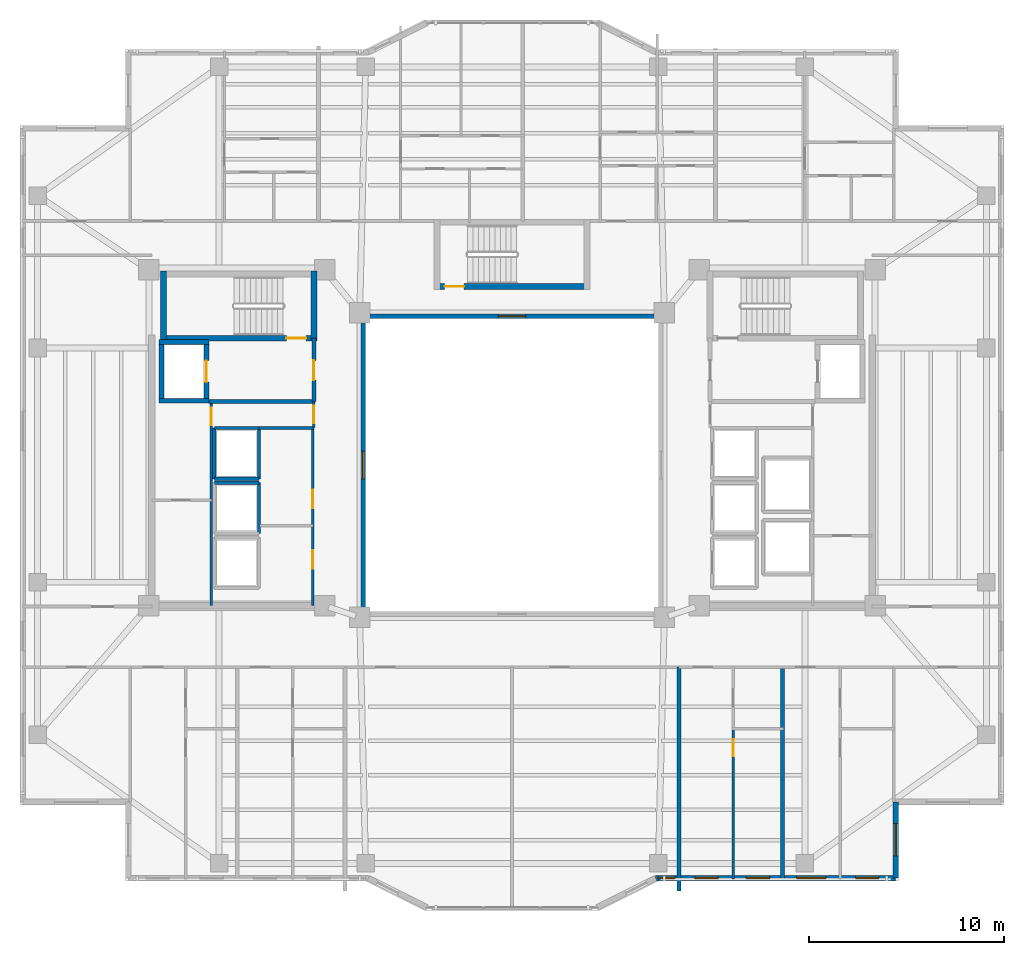
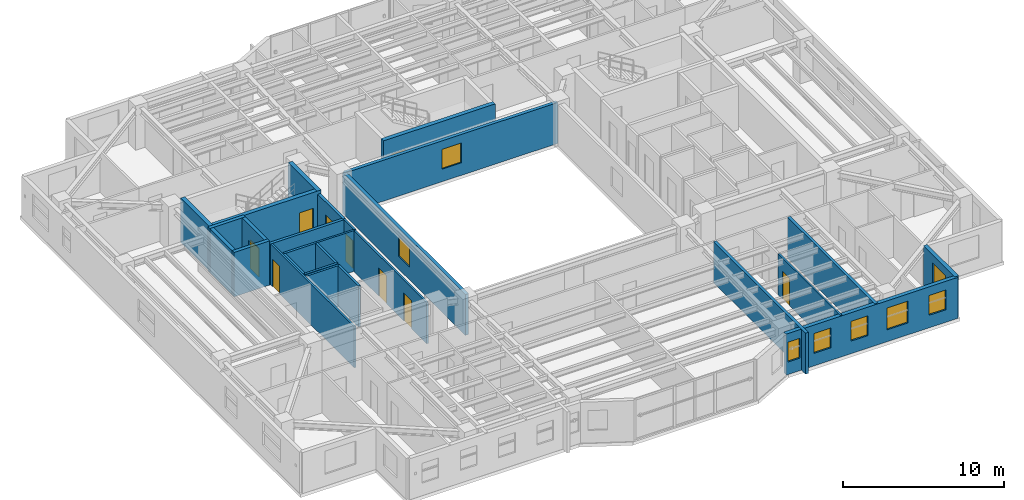
# One storey, part 7 of 16: 27 walls, 9 doors, 8 windows, 17 openings.
"""IFC4 building model written with IfcOpenShell, lengths in metres."""

from ifc_helpers import new_model, si_unit, direction, frame, frame_2d, origin, place, context, subcontext, project, spatial, rectangle, extrude, material, layer, layer_set, type_object, element, fill, save


model = new_model("IFC4")

# Units and contexts
model_context = context("Model", 3, precision=1e-05, world=origin(), true_north=direction((0.0, 1.0)))
body_context = subcontext(model_context, "Body", "Model", "MODEL_VIEW")
ifc_project = project(units=[si_unit("LENGTHUNIT", "METRE"), si_unit("AREAUNIT", "SQUARE_METRE"), si_unit("VOLUMEUNIT", "CUBIC_METRE"), si_unit("PLANEANGLEUNIT", "RADIAN"), si_unit("MASSUNIT", "GRAM", prefix="KILO")], contexts=[model_context])

# Site, building, storey
site_placement = place(None, origin())
site = spatial("IfcSite", under=ifc_project, at=site_placement, CompositionType="ELEMENT")
building_placement = place(site_placement, origin())
building = spatial("IfcBuilding", under=site, at=building_placement, Name="Tarnavaz Court Tower", CompositionType="ELEMENT")
storey_placement = place(building_placement, frame((0.0, 0.0, 156.050048828125)))
storey = spatial("IfcBuildingStorey", under=building, at=storey_placement, Name="L42", CompositionType="ELEMENT", Elevation=156.050048828125)

# Wall
ifc_material_1 = material(Name="Concrete C50/60", Category="concrete")
ifc_layer_1 = layer(ifc_material_1, 0.25)
ifc_layer_set_1 = layer_set([ifc_layer_1], Name="Concrete C50/60")
wall_type_1 = type_object("IfcWallType", Name="WL-CORE-250-C50", PredefinedType="SHEAR", material=ifc_layer_set_1)
wall_1_placement = place(storey_placement, frame((-17.949951171875, 3.175048828125, 0.0), z_axis=(0.0, 0.0, 1.0), x_axis=(0.0, 1.0, 0.0)))
element("IfcWall", 1, at=wall_1_placement, inside=storey, type_object=wall_type_1, Name="L42 Lift FL-W1 Shaft Wall 017", PredefinedType="SHEAR", context=body_context, shape_type="SweptSolid", body=[
    extrude(rectangle(XDim=3.25, YDim=0.25, at=frame_2d((1.625, 0.0))), origin(), (0.0, 0.0, 1.0), 3.349853515625),
])

# Wall, opening, door
wall_2_placement = place(storey_placement, frame((-15.64990234375, 3.175048828125, 0.0), z_axis=(0.0, 0.0, 1.0), x_axis=(0.0, 1.0, 0.0)))
wall_2 = element("IfcWall", 2, at=wall_2_placement, inside=storey, type_object=wall_type_1, Name="L42 Lift FL-W1 Shaft Wall 018", PredefinedType="SHEAR", context=body_context, shape_type="SweptSolid", body=[
    extrude(rectangle(XDim=3.25, YDim=0.25, at=frame_2d((1.625, 0.0))), origin(), (0.0, 0.0, 1.0), 3.349853515625),
])
opening_1_placement = place(wall_2_placement, frame((1.074951171875, 0.0, 0.0)))
opening_1 = element("IfcOpeningElement", 3, at=opening_1_placement, cuts=wall_2, Name="Opening LD1", PredefinedType="OPENING", context=body_context, shape_type="SweptSolid", body=[
    extrude(rectangle(XDim=1.10009765625, YDim=2.14990234375, at=frame_2d((0.550048828125, 1.074951171875))), frame((0.0, 0.135009765625, 0.0), z_axis=(0.0, -1.0, 0.0), x_axis=(1.0, 0.0, 0.0)), (0.0, 0.0, 1.0), 0.27001953125),
])
ifc_material_2 = material(Name="Stainless Steel", Category="steel")
door_type_1 = type_object("IfcDoorType", Name="DR-LD-1100", OperationType="NOTDEFINED", PredefinedType="DOOR", material=ifc_material_2)
door_1_placement = place(opening_1_placement, origin())
door_1 = element("IfcDoor", 4, at=door_1_placement, inside=storey, type_object=door_type_1, Name="L42 Lift Landing Door LD-FL-W1", OperationType="SLIDING_TO_LEFT", OverallHeight=2.14990234375, OverallWidth=1.10009765625, PredefinedType="DOOR", context=body_context, shape_type="SweptSolid", body=[
    extrude(rectangle(XDim=1.10009765625, YDim=2.14990234375, at=frame_2d((0.550048828125, 1.074951171875))), frame((0.0, 0.02490234375, 0.0), z_axis=(0.0, -1.0, 0.0), x_axis=(1.0, 0.0, 0.0)), (0.0, 0.0, 1.0), 0.050048828125),
])
fill(opening_1, door_1)

# Walls
for number, where, z_axis, x_axis, name in (
    (5, (-18.074951171875, 3.300048828125, 0.0), (0.0, 0.0, 1.0), (1.0, 0.0, 0.0), "L42 Lift FL-W1 Shaft Wall 019"),
    (6, (-18.074951171875, 6.300048828125, 0.0), (0.0, 0.0, 1.0), (1.0, 0.0, 0.0), "L42 Lift FL-W1 Shaft Wall 020"),
):
    element("IfcWall", number, at=place(storey_placement, frame(where, z_axis=z_axis, x_axis=x_axis)), inside=storey, type_object=wall_type_1, Name=name, PredefinedType="SHEAR", context=body_context, shape_type="SweptSolid", body=[
        extrude(rectangle(XDim=2.550048828125, YDim=0.25, at=frame_2d((1.27490234375, 0.0))), origin(), (0.0, 0.0, 1.0), 3.349853515625),
    ])

# Wall, opening, door
ifc_layer_2 = layer(ifc_material_1, 0.300048828125)
ifc_layer_set_2 = layer_set([ifc_layer_2], Name="Concrete C50/60")
wall_type_2 = type_object("IfcWallType", Name="WL-CORE-300-C50", PredefinedType="SHEAR", material=ifc_layer_set_2)
wall_3_placement = place(storey_placement, frame((-18.0, 6.5, 0.0), z_axis=(0.0, 0.0, 1.0), x_axis=(1.0, 0.0, 0.0)))
wall_3 = element("IfcWall", 7, at=wall_3_placement, inside=storey, type_object=wall_type_2, Name="L42 West Stair Core Wall 002", PredefinedType="SHEAR", context=body_context, shape_type="SweptSolid", body=[
    extrude(rectangle(XDim=8.0, YDim=0.300048828125, at=frame_2d((4.0, 0.0))), origin(), (0.0, 0.0, 1.0), 3.349853515625),
])
opening_2_placement = place(wall_3_placement, frame((6.449951171875, 0.0, 0.0)))
opening_2 = element("IfcOpeningElement", 8, at=opening_2_placement, cuts=wall_3, Name="Opening D01", PredefinedType="OPENING", context=body_context, shape_type="SweptSolid", body=[
    extrude(rectangle(XDim=1.0, YDim=2.14990234375, at=frame_2d((0.5, 1.074951171875))), frame((0.0, 0.159912109375, 0.0), z_axis=(0.0, -1.0, 0.0), x_axis=(1.0, 0.0, 0.0)), (0.0, 0.0, 1.0), 0.320068359375),
])
ifc_material_3 = material(Name="Fire-Rated Hardwood Timber Core", Category="wood")
door_type_2 = type_object("IfcDoorType", Name="DR-FD90-1000", OperationType="NOTDEFINED", PredefinedType="DOOR", material=ifc_material_3)
door_2_placement = place(opening_2_placement, origin())
door_2 = element("IfcDoor", 9, at=door_2_placement, inside=storey, type_object=door_type_2, Name="L42 Stair ST-W1 Exit Door", OperationType="SINGLE_SWING_LEFT", OverallHeight=2.14990234375, OverallWidth=1.0, PredefinedType="DOOR", context=body_context, shape_type="SweptSolid", body=[
    extrude(rectangle(XDim=1.0, YDim=2.14990234375, at=frame_2d((0.5, 1.074951171875))), frame((0.0, 0.02490234375, 0.0), z_axis=(0.0, -1.0, 0.0), x_axis=(1.0, 0.0, 0.0)), (0.0, 0.0, 1.0), 0.050048828125),
])
fill(opening_2, door_2)

# Walls
for number, where, z_axis, x_axis, name in (
    (10, (-17.85009765625, 6.35009765625, 0.0), (0.0, 0.0, 1.0), (0.0, 1.0, 0.0), "L42 West Stair Core Wall 003"),
    (11, (-10.14990234375, 6.35009765625, 0.0), (0.0, 0.0, 1.0), (0.0, 1.0, 0.0), "L42 West Stair Core Wall 004"),
):
    element("IfcWall", number, at=place(storey_placement, frame(where, z_axis=z_axis, x_axis=x_axis)), inside=storey, type_object=wall_type_2, Name=name, PredefinedType="SHEAR", context=body_context, shape_type="SweptSolid", body=[
        extrude(rectangle(XDim=3.58984375, YDim=0.300048828125, at=frame_2d((1.794921875, 0.0))), origin(), (0.0, 0.0, 1.0), 3.349853515625),
    ])

# Wall, opening, door
wall_4_placement = place(storey_placement, frame((-4.0, 9.14990234375, 0.0), z_axis=(0.0, 0.0, 1.0), x_axis=(1.0, 0.0, 0.0)))
wall_4 = element("IfcWall", 12, at=wall_4_placement, inside=storey, type_object=wall_type_2, Name="L42 North Stair Core Wall 010", PredefinedType="SHEAR", context=body_context, shape_type="SweptSolid", body=[
    extrude(rectangle(XDim=8.0, YDim=0.300048828125, at=frame_2d((4.0, 0.0))), origin(), (0.0, 0.0, 1.0), 3.349853515625),
])
opening_3_placement = place(wall_4_placement, frame((0.550048828125, 0.0, 0.0)))
opening_3 = element("IfcOpeningElement", 13, at=opening_3_placement, cuts=wall_4, Name="Opening D01", PredefinedType="OPENING", context=body_context, shape_type="SweptSolid", body=[
    extrude(rectangle(XDim=1.0, YDim=2.14990234375, at=frame_2d((0.5, 1.074951171875))), frame((0.0, 0.159912109375, 0.0), z_axis=(0.0, -1.0, 0.0), x_axis=(1.0, 0.0, 0.0)), (0.0, 0.0, 1.0), 0.320068359375),
])
door_3_placement = place(opening_3_placement, origin())
door_3 = element("IfcDoor", 14, at=door_3_placement, inside=storey, type_object=door_type_2, Name="L42 Stair ST-N1 Exit Door", OperationType="SINGLE_SWING_LEFT", OverallHeight=2.14990234375, OverallWidth=1.0, PredefinedType="DOOR", context=body_context, shape_type="SweptSolid", body=[
    extrude(rectangle(XDim=1.0, YDim=2.14990234375, at=frame_2d((0.5, 1.074951171875))), frame((0.0, 0.02490234375, 0.0), z_axis=(0.0, -1.0, 0.0), x_axis=(1.0, 0.0, 0.0)), (0.0, 0.0, 1.0), 0.050048828125),
])
fill(opening_3, door_3)

# Wall, opening, window
ifc_material_4 = material(Name="Precast Concrete C40/50", Category="concrete")
ifc_layer_3 = layer(ifc_material_4, 0.280029296875)
ifc_layer_set_3 = layer_set([ifc_layer_3], Name="Precast Concrete C40/50")
wall_type_3 = type_object("IfcWallType", Name="WL-EXT-280", PredefinedType="SOLIDWALL", material=ifc_layer_set_3)
wall_5_placement = place(storey_placement, frame((19.64990234375, -17.25, 0.0), z_axis=(0.0, 0.0, 1.0), x_axis=(0.0, -1.0, 0.0)))
wall_5 = element("IfcWall", 15, at=wall_5_placement, inside=storey, type_object=wall_type_3, Name="L42 Exterior Terracotta Facade Wall 14", PredefinedType="SOLIDWALL", context=body_context, shape_type="SweptSolid", body=[
    extrude(rectangle(XDim=3.89990234375, YDim=0.280029296875, at=frame_2d((1.949951171875, 0.0))), origin(), (0.0, 0.0, 1.0), 3.099853515625),
])
opening_4_placement = place(wall_5_placement, frame((1.107177734375, 0.0, 0.89990234375)))
opening_4 = element("IfcOpeningElement", 16, at=opening_4_placement, cuts=wall_5, Name="Opening W02", PredefinedType="OPENING", context=body_context, shape_type="SweptSolid", body=[
    extrude(rectangle(XDim=1.64990234375, YDim=1.60009765625, at=frame_2d((0.824951171875, 0.800048828125))), frame((0.0, 0.14990234375, 0.0), z_axis=(0.0, -1.0, 0.0), x_axis=(1.0, 0.0, 0.0)), (0.0, 0.0, 1.0), 0.300048828125),
])
ifc_material_5 = material(Name="Double-Glazed Solar Low-E Glass", Category="glass")
window_type_1 = type_object("IfcWindowType", Name="WN-APT-1650", PartitioningType="DOUBLE_PANEL_VERTICAL", PredefinedType="WINDOW", material=ifc_material_5)
window_1_placement = place(opening_4_placement, origin())
window_1 = element("IfcWindow", 17, at=window_1_placement, inside=storey, type_object=window_type_1, Name="L42 Flat 08 Kitchen Window", OverallHeight=1.60009765625, OverallWidth=1.64990234375, PartitioningType="SINGLE_PANEL", PredefinedType="WINDOW", context=body_context, shape_type="SweptSolid", body=[
    extrude(rectangle(XDim=1.64990234375, YDim=1.60009765625, at=frame_2d((0.824951171875, 0.800048828125))), frame((0.0, 0.030029296875, 0.0), z_axis=(0.0, -1.0, 0.0), x_axis=(1.0, 0.0, 0.0)), (0.0, 0.0, 1.0), 0.06005859375),
])
fill(opening_4, window_1)

# Wall, openings, windows
wall_6_placement = place(storey_placement, frame((19.64990234375, -21.14990234375, 0.0), z_axis=(0.0, 0.0, 1.0), x_axis=(-1.0, 0.0, 0.0)))
wall_6 = element("IfcWall", 18, at=wall_6_placement, inside=storey, type_object=wall_type_3, Name="L42 Exterior Terracotta Facade Wall 15", PredefinedType="SOLIDWALL", context=body_context, shape_type="SweptSolid", body=[
    extrude(rectangle(XDim=12.2998046875, YDim=0.280029296875, at=frame_2d((6.14990234375, 0.0))), origin(), (0.0, 0.0, 1.0), 3.099853515625),
])
opening_5_placement = place(wall_6_placement, frame((0.85595703125, 0.0, 0.949951171875)))
opening_5 = element("IfcOpeningElement", 19, at=opening_5_placement, cuts=wall_6, Name="Opening W05", PredefinedType="OPENING", context=body_context, shape_type="SweptSolid", body=[
    extrude(rectangle(XDim=1.199951171875, YDim=1.5, at=frame_2d((0.60009765625, 0.75))), frame((0.0, 0.14990234375, 0.0), z_axis=(0.0, -1.0, 0.0), x_axis=(1.0, 0.0, 0.0)), (0.0, 0.0, 1.0), 0.300048828125),
])
opening_6_placement = place(wall_6_placement, frame((3.567626953125, 0.0, 0.89990234375)))
opening_6 = element("IfcOpeningElement", 20, at=opening_6_placement, cuts=wall_6, Name="Opening W03", PredefinedType="OPENING", context=body_context, shape_type="SweptSolid", body=[
    extrude(rectangle(XDim=1.5, YDim=1.64990234375, at=frame_2d((0.75, 0.824951171875))), frame((0.0, 0.14990234375, 0.0), z_axis=(0.0, -1.0, 0.0), x_axis=(1.0, 0.0, 0.0)), (0.0, 0.0, 1.0), 0.300048828125),
])
opening_7_placement = place(wall_6_placement, frame((6.45361328125, 0.0, 0.949951171875)))
opening_7 = element("IfcOpeningElement", 21, at=opening_7_placement, cuts=wall_6, Name="Opening W05", PredefinedType="OPENING", context=body_context, shape_type="SweptSolid", body=[
    extrude(rectangle(XDim=1.199951171875, YDim=1.5, at=frame_2d((0.60009765625, 0.75))), frame((0.0, 0.14990234375, 0.0), z_axis=(0.0, -1.0, 0.0), x_axis=(1.0, 0.0, 0.0)), (0.0, 0.0, 1.0), 0.300048828125),
])
opening_8_placement = place(wall_6_placement, frame((9.08935546875, 0.0, 0.949951171875)))
opening_8 = element("IfcOpeningElement", 22, at=opening_8_placement, cuts=wall_6, Name="Opening W05", PredefinedType="OPENING", context=body_context, shape_type="SweptSolid", body=[
    extrude(rectangle(XDim=1.199951171875, YDim=1.5, at=frame_2d((0.60009765625, 0.75))), frame((0.0, 0.14990234375, 0.0), z_axis=(0.0, -1.0, 0.0), x_axis=(1.0, 0.0, 0.0)), (0.0, 0.0, 1.0), 0.300048828125),
])
opening_9_placement = place(wall_6_placement, frame((11.302978515625, 0.0, 0.949951171875)))
opening_9 = element("IfcOpeningElement", 23, at=opening_9_placement, cuts=wall_6, Name="Opening W15", PredefinedType="OPENING", context=body_context, shape_type="SweptSolid", body=[
    extrude(rectangle(XDim=0.85009765625, YDim=1.5, at=frame_2d((0.425048828125, 0.75))), frame((0.0, 0.14990234375, 0.0), z_axis=(0.0, -1.0, 0.0), x_axis=(1.0, 0.0, 0.0)), (0.0, 0.0, 1.0), 0.300048828125),
])
window_type_2 = type_object("IfcWindowType", Name="WN-APT-1200", PartitioningType="SINGLE_PANEL", PredefinedType="WINDOW", material=ifc_material_5)
window_2_placement = place(opening_5_placement, origin())
window_2 = element("IfcWindow", 24, at=window_2_placement, inside=storey, type_object=window_type_2, Name="L42 Flat 08 Kitchen Window", OverallHeight=1.5, OverallWidth=1.199951171875, PartitioningType="SINGLE_PANEL", PredefinedType="WINDOW", context=body_context, shape_type="SweptSolid", body=[
    extrude(rectangle(XDim=1.199951171875, YDim=1.5, at=frame_2d((0.60009765625, 0.75))), frame((0.0, 0.030029296875, 0.0), z_axis=(0.0, -1.0, 0.0), x_axis=(1.0, 0.0, 0.0)), (0.0, 0.0, 1.0), 0.06005859375),
])
fill(opening_5, window_2)
window_3_placement = place(opening_7_placement, origin())
window_3 = element("IfcWindow", 25, at=window_3_placement, inside=storey, type_object=window_type_2, Name="L42 Flat 07 Kitchen Window", OverallHeight=1.5, OverallWidth=1.199951171875, PartitioningType="SINGLE_PANEL", PredefinedType="WINDOW", context=body_context, shape_type="SweptSolid", body=[
    extrude(rectangle(XDim=1.199951171875, YDim=1.5, at=frame_2d((0.60009765625, 0.75))), frame((0.0, 0.030029296875, 0.0), z_axis=(0.0, -1.0, 0.0), x_axis=(1.0, 0.0, 0.0)), (0.0, 0.0, 1.0), 0.06005859375),
])
fill(opening_7, window_3)
window_4_placement = place(opening_8_placement, origin())
window_4 = element("IfcWindow", 26, at=window_4_placement, inside=storey, type_object=window_type_2, Name="L42 Flat 07 Studio Living and Sleeping Room Window", OverallHeight=1.5, OverallWidth=1.199951171875, PartitioningType="SINGLE_PANEL", PredefinedType="WINDOW", context=body_context, shape_type="SweptSolid", body=[
    extrude(rectangle(XDim=1.199951171875, YDim=1.5, at=frame_2d((0.60009765625, 0.75))), frame((0.0, 0.030029296875, 0.0), z_axis=(0.0, -1.0, 0.0), x_axis=(1.0, 0.0, 0.0)), (0.0, 0.0, 1.0), 0.06005859375),
])
fill(opening_8, window_4)
window_type_3 = type_object("IfcWindowType", Name="WN-APT-1500", PartitioningType="DOUBLE_PANEL_VERTICAL", PredefinedType="WINDOW", material=ifc_material_5)
window_5_placement = place(opening_6_placement, origin())
window_5 = element("IfcWindow", 27, at=window_5_placement, inside=storey, type_object=window_type_3, Name="L42 Flat 08 Studio Living and Sleeping Room Window", OverallHeight=1.64990234375, OverallWidth=1.5, PartitioningType="SINGLE_PANEL", PredefinedType="WINDOW", context=body_context, shape_type="SweptSolid", body=[
    extrude(rectangle(XDim=1.5, YDim=1.64990234375, at=frame_2d((0.75, 0.824951171875))), frame((0.0, 0.030029296875, 0.0), z_axis=(0.0, -1.0, 0.0), x_axis=(1.0, 0.0, 0.0)), (0.0, 0.0, 1.0), 0.06005859375),
])
fill(opening_6, window_5)
window_type_4 = type_object("IfcWindowType", Name="WN-APT-850", PartitioningType="SINGLE_PANEL", PredefinedType="WINDOW", material=ifc_material_5)
window_6_placement = place(opening_9_placement, origin())
window_6 = element("IfcWindow", 28, at=window_6_placement, inside=storey, type_object=window_type_4, Name="L42 South Courtyard Reading Room Window", OverallHeight=1.5, OverallWidth=0.85009765625, PartitioningType="SINGLE_PANEL", PredefinedType="WINDOW", context=body_context, shape_type="SweptSolid", body=[
    extrude(rectangle(XDim=0.85009765625, YDim=1.5, at=frame_2d((0.425048828125, 0.75))), frame((0.0, 0.030029296875, 0.0), z_axis=(0.0, -1.0, 0.0), x_axis=(1.0, 0.0, 0.0)), (0.0, 0.0, 1.0), 0.06005859375),
])
fill(opening_9, window_6)

# Wall
ifc_material_6 = material(Name="Autoclaved Aerated Concrete Blockwork", Category="masonry")
ifc_layer_4 = layer(ifc_material_6, 0.199951171875)
ifc_layer_set_4 = layer_set([ifc_layer_4], Name="Autoclaved Aerated Concrete Blockwork")
wall_type_4 = type_object("IfcWallType", Name="WL-FIRE-200", PredefinedType="SOLIDWALL", material=ifc_layer_set_4)
wall_7_placement = place(storey_placement, frame((-15.550048828125, 3.25, 0.0), z_axis=(0.0, 0.0, 1.0), x_axis=(1.0, 0.0, 0.0)))
element("IfcWall", 29, at=wall_7_placement, inside=storey, type_object=wall_type_4, Name="L42 West Firefighting Lobby Wall 013", PredefinedType="SOLIDWALL", context=body_context, shape_type="SweptSolid", body=[
    extrude(rectangle(XDim=5.400146484375, YDim=0.199951171875, at=frame_2d((2.7001953125, 0.0))), origin(), (0.0, 0.0, 1.0), 3.099853515625),
])

# Wall, opening, door
wall_8_placement = place(storey_placement, frame((-10.14990234375, 3.25, 0.0), z_axis=(0.0, 0.0, 1.0), x_axis=(0.0, 1.0, 0.0)))
wall_8 = element("IfcWall", 30, at=wall_8_placement, inside=storey, type_object=wall_type_4, Name="L42 West Firefighting Lobby Wall 014", PredefinedType="SOLIDWALL", context=body_context, shape_type="SweptSolid", body=[
    extrude(rectangle(XDim=3.25, YDim=0.199951171875, at=frame_2d((1.625, 0.0))), origin(), (0.0, 0.0, 1.0), 3.099853515625),
])
opening_10_placement = place(wall_8_placement, frame((1.10009765625, 0.0, 0.0)))
opening_10 = element("IfcOpeningElement", 31, at=opening_10_placement, cuts=wall_8, Name="Opening D05", PredefinedType="OPENING", context=body_context, shape_type="SweptSolid", body=[
    extrude(rectangle(XDim=1.02001953125, YDim=2.14990234375, at=frame_2d((0.510009765625, 1.074951171875))), frame((0.0, 0.10986328125, 0.0), z_axis=(0.0, -1.0, 0.0), x_axis=(1.0, 0.0, 0.0)), (0.0, 0.0, 1.0), 0.219970703125),
])
door_type_3 = type_object("IfcDoorType", Name="DR-FD60-1000", OperationType="NOTDEFINED", PredefinedType="DOOR", material=ifc_material_3)
door_4_placement = place(opening_10_placement, origin())
door_4 = element("IfcDoor", 32, at=door_4_placement, inside=storey, type_object=door_type_3, Name="L42 West Firefighting Lobby Door", OperationType="SINGLE_SWING_RIGHT", OverallHeight=2.14990234375, OverallWidth=1.02001953125, PredefinedType="DOOR", context=body_context, shape_type="SweptSolid", body=[
    extrude(rectangle(XDim=1.02001953125, YDim=2.14990234375, at=frame_2d((0.510009765625, 1.074951171875))), frame((0.0, 0.02490234375, 0.0), z_axis=(0.0, -1.0, 0.0), x_axis=(1.0, 0.0, 0.0)), (0.0, 0.0, 1.0), 0.050048828125),
])
fill(opening_10, door_4)

# Walls
wall_9_placement = place(storey_placement, frame((13.85595703125, -21.199951171875, 0.0), z_axis=(0.0, 0.0, 1.0), x_axis=(0.0, 1.0, 0.0)))
element("IfcWall", 33, at=wall_9_placement, inside=storey, type_object=wall_type_4, Name="L42 Party Wall 107", PredefinedType="SOLIDWALL", context=body_context, shape_type="SweptSolid", body=[
    extrude(rectangle(XDim=10.849853515625, YDim=0.199951171875, at=frame_2d((5.4248046875, 0.0))), origin(), (0.0, 0.0, 1.0), 3.099853515625),
])
wall_10_placement = place(storey_placement, frame((8.550048828125, -21.803955078125, 0.0), z_axis=(0.0, 0.0, 1.0), x_axis=(0.0, 1.0, 0.0)))
element("IfcWall", 34, at=wall_10_placement, inside=storey, type_object=wall_type_4, Name="L42 Party Wall 115", PredefinedType="SOLIDWALL", context=body_context, shape_type="SweptSolid", body=[
    extrude(rectangle(XDim=11.453857421875, YDim=0.199951171875, at=frame_2d((5.72705078125, 0.0))), origin(), (0.0, 0.0, 1.0), 3.099853515625),
])

# Wall, opening, door
ifc_material_7 = material(Name="Moisture-Resistant Gypsum Board Partition", Category="masonry")
ifc_layer_5 = layer(ifc_material_7, 0.1201171875)
ifc_layer_set_5 = layer_set([ifc_layer_5], Name="Moisture-Resistant Gypsum Board Partition")
wall_type_5 = type_object("IfcWallType", Name="WL-PART-120", PredefinedType="PARTITIONING", material=ifc_layer_set_5)
wall_11_placement = place(storey_placement, frame((11.3310546875, -21.199951171875, 0.0), z_axis=(0.0, 0.0, 1.0), x_axis=(0.0, 1.0, 0.0)))
wall_11 = element("IfcWall", 35, at=wall_11_placement, inside=storey, type_object=wall_type_5, Name="L42 Interior Partition 108", PredefinedType="PARTITIONING", context=body_context, shape_type="SweptSolid", body=[
    extrude(rectangle(XDim=7.68994140625, YDim=0.1201171875, at=frame_2d((3.844970703125, 0.0))), origin(), (0.0, 0.0, 1.0), 3.099853515625),
])
opening_11_placement = place(wall_11_placement, frame((6.2900390625, 0.0, 0.0)))
opening_11 = element("IfcOpeningElement", 36, at=opening_11_placement, cuts=wall_11, Name="Opening D14", PredefinedType="OPENING", context=body_context, shape_type="SweptSolid", body=[
    extrude(rectangle(XDim=0.8798828125, YDim=2.10009765625, at=frame_2d((0.43994140625, 1.050048828125))), frame((0.0, 0.070068359375, 0.0), z_axis=(0.0, -1.0, 0.0), x_axis=(1.0, 0.0, 0.0)), (0.0, 0.0, 1.0), 0.14013671875),
])
ifc_material_8 = material(Name="Engineered Oak Timber", Category="wood")
door_type_4 = type_object("IfcDoorType", Name="DR-INT-900", OperationType="NOTDEFINED", PredefinedType="DOOR", material=ifc_material_8)
door_5_placement = place(opening_11_placement, origin())
door_5 = element("IfcDoor", 37, at=door_5_placement, inside=storey, type_object=door_type_4, Name="L42 Flat 07 Kitchen Door", OperationType="SINGLE_SWING_RIGHT", OverallHeight=2.10009765625, OverallWidth=0.8798828125, PredefinedType="DOOR", context=body_context, shape_type="SweptSolid", body=[
    extrude(rectangle(XDim=0.8798828125, YDim=2.10009765625, at=frame_2d((0.43994140625, 1.050048828125))), frame((0.0, 0.02490234375, 0.0), z_axis=(0.0, -1.0, 0.0), x_axis=(1.0, 0.0, 0.0)), (0.0, 0.0, 1.0), 0.050048828125),
])
fill(opening_11, door_5)

# Wall
ifc_material_9 = material(Name="Gypsum Plasterboard Acoustic Partition", Category="masonry")
ifc_layer_6 = layer(ifc_material_9, 0.139892578125)
ifc_layer_set_6 = layer_set([ifc_layer_6], Name="Gypsum Plasterboard Acoustic Partition")
wall_type_6 = type_object("IfcWallType", Name="WL-PART-150", PredefinedType="PARTITIONING", material=ifc_layer_set_6)
wall_12_placement = place(storey_placement, frame((-12.949951171875, 1.89990234375, 0.0), z_axis=(0.0, 0.0, 1.0), x_axis=(1.0, 0.0, 0.0)))
element("IfcWall", 38, at=wall_12_placement, inside=storey, type_object=wall_type_6, Name="L42 Interior Partition 061", PredefinedType="PARTITIONING", context=body_context, shape_type="SweptSolid", body=[
    extrude(rectangle(XDim=2.800048828125, YDim=0.139892578125, at=frame_2d((1.39990234375, 0.0))), origin(), (0.0, 0.0, 1.0), 3.099853515625),
])

# Wall, opening, door
wall_13_placement = place(storey_placement, frame((-10.14990234375, 1.919921875, 0.0), z_axis=(0.0, 0.0, 1.0), x_axis=(0.0, 1.0, 0.0)))
wall_13 = element("IfcWall", 39, at=wall_13_placement, inside=storey, type_object=wall_type_6, Name="L42 Interior Partition 062", PredefinedType="PARTITIONING", context=body_context, shape_type="SweptSolid", body=[
    extrude(rectangle(XDim=1.330078125, YDim=0.139892578125, at=frame_2d((0.6650390625, 0.0))), origin(), (0.0, 0.0, 1.0), 3.099853515625),
])
opening_12_placement = place(wall_13_placement, frame((0.219970703125, 0.0, 0.0)))
opening_12 = element("IfcOpeningElement", 40, at=opening_12_placement, cuts=wall_13, Name="Opening D09", PredefinedType="OPENING", context=body_context, shape_type="SweptSolid", body=[
    extrude(rectangle(XDim=0.89990234375, YDim=2.080078125, at=frame_2d((0.449951171875, 1.0400390625))), frame((0.0, 0.079833984375, 0.0), z_axis=(0.0, -1.0, 0.0), x_axis=(1.0, 0.0, 0.0)), (0.0, 0.0, 1.0), 0.159912109375),
])
door_type_5 = type_object("IfcDoorType", Name="DR-FD30-900", OperationType="NOTDEFINED", PredefinedType="DOOR", material=ifc_material_3)
door_6_placement = place(opening_12_placement, origin())
door_6 = element("IfcDoor", 41, at=door_6_placement, inside=storey, type_object=door_type_5, Name="L42 West Core Service Lobby Door", OperationType="SINGLE_SWING_LEFT", OverallHeight=2.080078125, OverallWidth=0.89990234375, PredefinedType="DOOR", context=body_context, shape_type="SweptSolid", body=[
    extrude(rectangle(XDim=0.89990234375, YDim=2.080078125, at=frame_2d((0.449951171875, 1.0400390625))), frame((0.0, 0.02490234375, 0.0), z_axis=(0.0, -1.0, 0.0), x_axis=(1.0, 0.0, 0.0)), (0.0, 0.0, 1.0), 0.050048828125),
])
fill(opening_12, door_6)

wall_14_placement = place(storey_placement, frame((-15.39990234375, -7.199951171875, 0.0), z_axis=(0.0, 0.0, 1.0), x_axis=(0.0, 1.0, 0.0)))
wall_14 = element("IfcWall", 42, at=wall_14_placement, inside=storey, type_object=wall_type_6, Name="L42 Interior Partition 063", PredefinedType="PARTITIONING", context=body_context, shape_type="SweptSolid", body=[
    extrude(rectangle(XDim=10.449951171875, YDim=0.139892578125, at=frame_2d((5.22509765625, 0.0))), origin(), (0.0, 0.0, 1.0), 3.099853515625),
])
opening_13_placement = place(wall_14_placement, frame((9.25, 0.0, 0.0)))
opening_13 = element("IfcOpeningElement", 43, at=opening_13_placement, cuts=wall_14, Name="Opening D09", PredefinedType="OPENING", context=body_context, shape_type="SweptSolid", body=[
    extrude(rectangle(XDim=0.89990234375, YDim=2.080078125, at=frame_2d((0.449951171875, 1.0400390625))), frame((0.0, 0.079833984375, 0.0), z_axis=(0.0, -1.0, 0.0), x_axis=(1.0, 0.0, 0.0)), (0.0, 0.0, 1.0), 0.159912109375),
])
door_7_placement = place(opening_13_placement, origin())
door_7 = element("IfcDoor", 44, at=door_7_placement, inside=storey, type_object=door_type_5, Name="L42 West Telecom Room Door", OperationType="SINGLE_SWING_RIGHT", OverallHeight=2.080078125, OverallWidth=0.89990234375, PredefinedType="DOOR", context=body_context, shape_type="SweptSolid", body=[
    extrude(rectangle(XDim=0.89990234375, YDim=2.080078125, at=frame_2d((0.449951171875, 1.0400390625))), frame((0.0, 0.02490234375, 0.0), z_axis=(0.0, -1.0, 0.0), x_axis=(1.0, 0.0, 0.0)), (0.0, 0.0, 1.0), 0.050048828125),
])
fill(opening_13, door_7)

# Wall, openings, doors
wall_15_placement = place(storey_placement, frame((-10.199951171875, -7.199951171875, 0.0), z_axis=(0.0, 0.0, 1.0), x_axis=(0.0, 1.0, 0.0)))
wall_15 = element("IfcWall", 45, at=wall_15_placement, inside=storey, type_object=wall_type_6, Name="L42 West Reclaimed Core Wall 065", PredefinedType="PARTITIONING", context=body_context, shape_type="SweptSolid", body=[
    extrude(rectangle(XDim=9.119873046875, YDim=0.139892578125, at=frame_2d((4.56005859375, 0.0))), origin(), (0.0, 0.0, 1.0), 3.099853515625),
])
opening_14_placement = place(wall_15_placement, frame((1.89990234375, 0.0, 0.0)))
opening_14 = element("IfcOpeningElement", 46, at=opening_14_placement, cuts=wall_15, Name="Opening D08", PredefinedType="OPENING", context=body_context, shape_type="SweptSolid", body=[
    extrude(rectangle(XDim=0.949951171875, YDim=2.1201171875, at=frame_2d((0.47509765625, 1.06005859375))), frame((0.0, 0.079833984375, 0.0), z_axis=(0.0, -1.0, 0.0), x_axis=(1.0, 0.0, 0.0)), (0.0, 0.0, 1.0), 0.159912109375),
])
opening_15_placement = place(wall_15_placement, frame((5.0, 0.0, 0.0)))
opening_15 = element("IfcOpeningElement", 47, at=opening_15_placement, cuts=wall_15, Name="Opening D08", PredefinedType="OPENING", context=body_context, shape_type="SweptSolid", body=[
    extrude(rectangle(XDim=0.949951171875, YDim=2.1201171875, at=frame_2d((0.47509765625, 1.06005859375))), frame((0.0, 0.079833984375, 0.0), z_axis=(0.0, -1.0, 0.0), x_axis=(1.0, 0.0, 0.0)), (0.0, 0.0, 1.0), 0.159912109375),
])
door_type_6 = type_object("IfcDoorType", Name="DR-FD30-950", OperationType="NOTDEFINED", PredefinedType="DOOR", material=ifc_material_3)
door_8_placement = place(opening_14_placement, origin())
door_8 = element("IfcDoor", 48, at=door_8_placement, inside=storey, type_object=door_type_6, Name="L42 West Study Room Door", OperationType="SINGLE_SWING_RIGHT", OverallHeight=2.1201171875, OverallWidth=0.949951171875, PredefinedType="DOOR", context=body_context, shape_type="SweptSolid", body=[
    extrude(rectangle(XDim=0.949951171875, YDim=2.1201171875, at=frame_2d((0.47509765625, 1.06005859375))), frame((0.0, 0.02490234375, 0.0), z_axis=(0.0, -1.0, 0.0), x_axis=(1.0, 0.0, 0.0)), (0.0, 0.0, 1.0), 0.050048828125),
])
fill(opening_14, door_8)
door_9_placement = place(opening_15_placement, origin())
door_9 = element("IfcDoor", 49, at=door_9_placement, inside=storey, type_object=door_type_6, Name="L42 West Laundry Room Door", OperationType="SINGLE_SWING_LEFT", OverallHeight=2.1201171875, OverallWidth=0.949951171875, PredefinedType="DOOR", context=body_context, shape_type="SweptSolid", body=[
    extrude(rectangle(XDim=0.949951171875, YDim=2.1201171875, at=frame_2d((0.47509765625, 1.06005859375))), frame((0.0, 0.02490234375, 0.0), z_axis=(0.0, -1.0, 0.0), x_axis=(1.0, 0.0, 0.0)), (0.0, 0.0, 1.0), 0.050048828125),
])
fill(opening_15, door_9)

# Walls
ifc_layer_7 = layer(ifc_material_6, 0.159912109375)
ifc_layer_set_7 = layer_set([ifc_layer_7], Name="Autoclaved Aerated Concrete Blockwork")
wall_type_7 = type_object("IfcWallType", Name="WL-SHAFT-150", PredefinedType="SOLIDWALL", material=ifc_layer_set_7)
wall_16_placement = place(storey_placement, frame((-12.949951171875, -3.5, 0.0), z_axis=(0.0, 0.0, 1.0), x_axis=(0.0, 1.0, 0.0)))
element("IfcWall", 50, at=wall_16_placement, inside=storey, type_object=wall_type_7, Name="L42 Lift PL-H2 Shaft Wall 026", PredefinedType="SOLIDWALL", context=body_context, shape_type="SweptSolid", body=[
    extrude(rectangle(XDim=2.60009765625, YDim=0.159912109375, at=frame_2d((1.300048828125, 0.0))), origin(), (0.0, 0.0, 1.0), 3.099853515625),
])
wall_17_placement = place(storey_placement, frame((-15.25, -0.89990234375, 0.0), z_axis=(0.0, 0.0, 1.0), x_axis=(1.0, 0.0, 0.0)))
element("IfcWall", 51, at=wall_17_placement, inside=storey, type_object=wall_type_7, Name="L42 Lift PL-H2 Shaft Wall 028", PredefinedType="SOLIDWALL", context=body_context, shape_type="SweptSolid", body=[
    extrude(rectangle(XDim=2.300048828125, YDim=0.159912109375, at=frame_2d((1.14990234375, 0.0))), origin(), (0.0, 0.0, 1.0), 3.099853515625),
])
for number, where, z_axis, x_axis, name in (
    (52, (-15.25, -0.699951171875, 0.0), (0.0, 0.0, 1.0), (0.0, 1.0, 0.0), "L42 Lift PL-H3 Shaft Wall 029"),
    (53, (-12.949951171875, -0.699951171875, 0.0), (0.0, 0.0, 1.0), (0.0, 1.0, 0.0), "L42 Lift PL-H3 Shaft Wall 030"),
):
    element("IfcWall", number, at=place(storey_placement, frame(where, z_axis=z_axis, x_axis=x_axis)), inside=storey, type_object=wall_type_7, Name=name, PredefinedType="SOLIDWALL", context=body_context, shape_type="SweptSolid", body=[
        extrude(rectangle(XDim=2.599853515625, YDim=0.159912109375, at=frame_2d((1.2998046875, 0.0))), origin(), (0.0, 0.0, 1.0), 3.099853515625),
    ])
for number, where, z_axis, x_axis, name in (
    (54, (-15.25, -0.699951171875, 0.0), (0.0, 0.0, 1.0), (1.0, 0.0, 0.0), "L42 Lift PL-H3 Shaft Wall 031"),
    (55, (-15.25, 1.89990234375, 0.0), (0.0, 0.0, 1.0), (1.0, 0.0, 0.0), "L42 Lift PL-H3 Shaft Wall 032"),
):
    element("IfcWall", number, at=place(storey_placement, frame(where, z_axis=z_axis, x_axis=x_axis)), inside=storey, type_object=wall_type_7, Name=name, PredefinedType="SOLIDWALL", context=body_context, shape_type="SweptSolid", body=[
        extrude(rectangle(XDim=2.300048828125, YDim=0.159912109375, at=frame_2d((1.14990234375, 0.0))), origin(), (0.0, 0.0, 1.0), 3.099853515625),
    ])

# Wall, opening, window
ifc_layer_8 = layer(ifc_material_4, 0.239990234375)
ifc_layer_set_8 = layer_set([ifc_layer_8], Name="Precast Concrete C40/50")
wall_type_8 = type_object("IfcWallType", Name="WL-WELL-240", PredefinedType="SOLIDWALL", material=ifc_layer_set_8)
wall_18_placement = place(storey_placement, frame((7.6201171875, 7.6201171875, 0.0), z_axis=(0.0, 0.0, 1.0), x_axis=(-1.0, 0.0, 0.0)))
wall_18 = element("IfcWall", 56, at=wall_18_placement, inside=storey, type_object=wall_type_8, Name="L42 Badgir Light-Well Exterior Wall N", PredefinedType="SOLIDWALL", context=body_context, shape_type="SweptSolid", body=[
    extrude(rectangle(XDim=15.240234375, YDim=0.239990234375, at=frame_2d((7.6201171875, 0.0))), origin(), (0.0, 0.0, 1.0), 3.099853515625),
])
opening_16_placement = place(wall_18_placement, frame((6.919921875, 0.0, 0.949951171875)))
opening_16 = element("IfcOpeningElement", 57, at=opening_16_placement, cuts=wall_18, Name="Opening W13", PredefinedType="OPENING", context=body_context, shape_type="SweptSolid", body=[
    extrude(rectangle(XDim=1.39990234375, YDim=1.5, at=frame_2d((0.699951171875, 0.75))), frame((0.0, 0.1298828125, 0.0), z_axis=(0.0, -1.0, 0.0), x_axis=(1.0, 0.0, 0.0)), (0.0, 0.0, 1.0), 0.260009765625),
])
window_type_5 = type_object("IfcWindowType", Name="WN-WEL-1400", PartitioningType="SINGLE_PANEL", PredefinedType="WINDOW", material=ifc_material_5)
window_7_placement = place(opening_16_placement, origin())
window_7 = element("IfcWindow", 58, at=window_7_placement, inside=storey, type_object=window_type_5, Name="L42 Courtyard Gallery Window N", OverallHeight=1.5, OverallWidth=1.39990234375, PartitioningType="SINGLE_PANEL", PredefinedType="WINDOW", context=body_context, shape_type="SweptSolid", body=[
    extrude(rectangle(XDim=1.39990234375, YDim=1.5, at=frame_2d((0.699951171875, 0.75))), frame((0.0, 0.030029296875, 0.0), z_axis=(0.0, -1.0, 0.0), x_axis=(1.0, 0.0, 0.0)), (0.0, 0.0, 1.0), 0.06005859375),
])
fill(opening_16, window_7)

wall_19_placement = place(storey_placement, frame((-7.6201171875, 7.6201171875, 0.0), z_axis=(0.0, 0.0, 1.0), x_axis=(0.0, -1.0, 0.0)))
wall_19 = element("IfcWall", 59, at=wall_19_placement, inside=storey, type_object=wall_type_8, Name="L42 Badgir Light-Well Exterior Wall W", PredefinedType="SOLIDWALL", context=body_context, shape_type="SweptSolid", body=[
    extrude(rectangle(XDim=15.240234375, YDim=0.239990234375, at=frame_2d((7.6201171875, 0.0))), origin(), (0.0, 0.0, 1.0), 3.099853515625),
])
opening_17_placement = place(wall_19_placement, frame((6.919921875, 0.0, 0.949951171875)))
opening_17 = element("IfcOpeningElement", 60, at=opening_17_placement, cuts=wall_19, Name="Opening W13", PredefinedType="OPENING", context=body_context, shape_type="SweptSolid", body=[
    extrude(rectangle(XDim=1.39990234375, YDim=1.5, at=frame_2d((0.699951171875, 0.75))), frame((0.0, 0.1298828125, 0.0), z_axis=(0.0, -1.0, 0.0), x_axis=(1.0, 0.0, 0.0)), (0.0, 0.0, 1.0), 0.260009765625),
])
window_8_placement = place(opening_17_placement, origin())
window_8 = element("IfcWindow", 61, at=window_8_placement, inside=storey, type_object=window_type_5, Name="L42 Courtyard Gallery Window W", OverallHeight=1.5, OverallWidth=1.39990234375, PartitioningType="SINGLE_PANEL", PredefinedType="WINDOW", context=body_context, shape_type="SweptSolid", body=[
    extrude(rectangle(XDim=1.39990234375, YDim=1.5, at=frame_2d((0.699951171875, 0.75))), frame((0.0, 0.030029296875, 0.0), z_axis=(0.0, -1.0, 0.0), x_axis=(1.0, 0.0, 0.0)), (0.0, 0.0, 1.0), 0.06005859375),
])
fill(opening_17, window_8)

save(model, "model.ifc")
